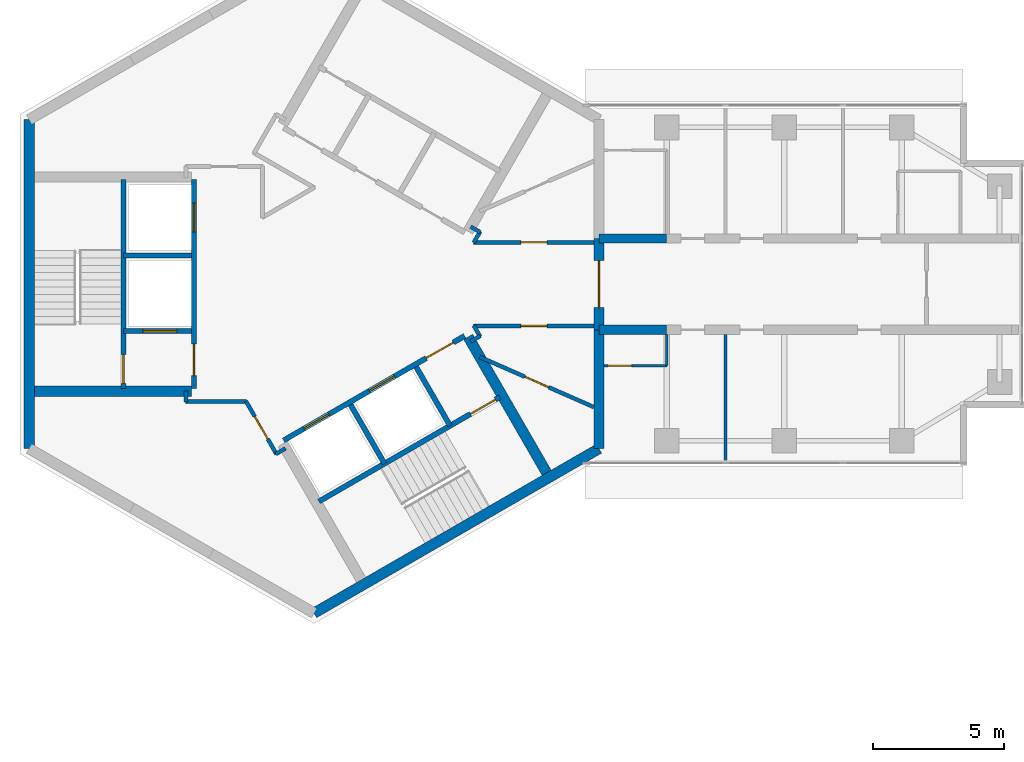
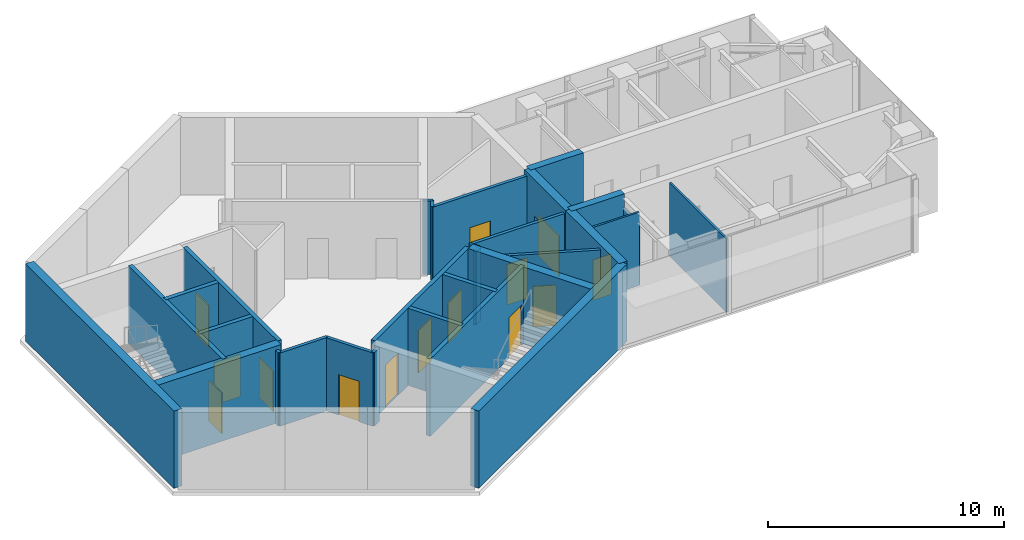
# One storey, part 5 of 11: 30 walls, 14 doors, 14 openings.
"""IFC4 building model written with IfcOpenShell, lengths in metres."""

import ifcopenshell
import ifcopenshell.guid

model = None  # the IFC model being written
_history = None  # IfcOwnerHistory: only IFC2X3 demands one
_inside = {}  # id of a spatial element -> (the spatial element, [elements in it])
_under = {}  # id of a project, library or spatial element -> (it, [spatial elements below it])
_declared = {}  # id of a project -> (the project, [libraries it declares])
_typed = {}  # id of a type object -> (the type object, [elements of that type])
_made_of = {}  # id of a material, layer set ... -> (it, [elements and type objects made of it])


def new_model(schema):
    """Start an empty IFC model of exactly this schema.

    Asked for "IFC4X3", IfcOpenShell would pick the latest addendum, in which some entities
    have other attributes; the version numbers below select the first issue.
    IFC2X3 requires an IfcOwnerHistory on every rooted entity: one is made here for all.
    """
    global model, _history
    if schema == "IFC4X3":
        model = ifcopenshell.file(schema_version=(4, 3, 0, 0))
    else:
        model = ifcopenshell.file(schema=schema)
    _inside.clear()
    _under.clear()
    _declared.clear()
    _typed.clear()
    _made_of.clear()
    _history = None
    if model.schema == "IFC2X3":
        org = make("IfcOrganization", Name="unknown")
        user = make(
            "IfcPersonAndOrganization",
            ThePerson=make("IfcPerson", FamilyName="unknown"),
            TheOrganization=org,
        )
        app = make(
            "IfcApplication",
            ApplicationDeveloper=org,
            Version="unknown",
            ApplicationFullName="unknown",
            ApplicationIdentifier="unknown",
        )
        _history = make(
            "IfcOwnerHistory",
            OwningUser=user,
            OwningApplication=app,
            ChangeAction="ADDED",
            CreationDate=0,
        )
    return model


def make(cls, **values):
    """One entity of the class cls with the attributes given. An attribute that is None is left unset."""
    return model.create_entity(
        cls, **{name: value for name, value in values.items() if value is not None}
    )


def rooted(cls, **values):
    """An entity with a GlobalId (a new one), such as an element, a storey or a relation."""
    return make(cls, GlobalId=ifcopenshell.guid.new(), OwnerHistory=_history, **values)


def si_unit(unit_type, name, prefix=None):
    """IfcSIUnit, for example si_unit("LENGTHUNIT", "METRE", prefix="MILLI")."""
    return make("IfcSIUnit", UnitType=unit_type, Prefix=prefix, Name=name)


def assignment(units):
    """IfcUnitAssignment: the units of a project."""
    return None if units is None else make("IfcUnitAssignment", Units=units)


def point(xyz):
    """IfcCartesianPoint."""
    return None if xyz is None else make("IfcCartesianPoint", Coordinates=xyz)


def direction(xyz):
    """IfcDirection."""
    return None if xyz is None else make("IfcDirection", DirectionRatios=xyz)


def frame(location, z_axis=None, x_axis=None):
    """IfcAxis2Placement3D, a coordinate frame: its origin and axes. An axis left out is left unset."""
    return make(
        "IfcAxis2Placement3D",
        Location=point(location),
        Axis=direction(z_axis),
        RefDirection=direction(x_axis),
    )


def frame_2d(location, x_axis=None):
    """IfcAxis2Placement2D, a coordinate frame in the plane: its origin and x axis."""
    return make(
        "IfcAxis2Placement2D", Location=point(location), RefDirection=direction(x_axis)
    )


def origin():
    """The frame at (0, 0, 0) with its axes left unset."""
    return frame((0.0, 0.0, 0.0))


def place(relative_to, where):
    """IfcLocalPlacement: puts the frame where relative to a parent placement (None: the world)."""
    return make(
        "IfcLocalPlacement", PlacementRelTo=relative_to, RelativePlacement=where
    )


def context(
    kind, dimensions, precision=None, world=None, true_north=None, identifier=None
):
    """IfcGeometricRepresentationContext, for example the 3D "Model" context."""
    return make(
        "IfcGeometricRepresentationContext",
        ContextIdentifier=identifier,
        ContextType=kind,
        CoordinateSpaceDimension=dimensions,
        Precision=precision,
        WorldCoordinateSystem=world,
        TrueNorth=true_north,
    )


def subcontext(parent, identifier, kind, view, scale=None):
    """IfcGeometricRepresentationSubContext, for example "Body" below "Model"."""
    return make(
        "IfcGeometricRepresentationSubContext",
        ContextIdentifier=identifier,
        ContextType=kind,
        ParentContext=parent,
        TargetScale=scale,
        TargetView=view,
    )


def project(units=None, contexts=None):
    """IfcProject with its units and contexts."""
    return rooted(
        "IfcProject",
        Name="project",
        RepresentationContexts=contexts,
        UnitsInContext=assignment(units),
    )


def spatial(cls, under=None, at=None, **own):
    """A site, building, storey or space (cls), placed at a placement, below another one or the project."""
    s = rooted(cls, ObjectPlacement=at, **own)
    if under is not None:
        _under.setdefault(under.id(), (under, []))[1].append(s)
    return s


def profile(cls, at=None, kind="AREA", **sizes):
    """A parametric profile (cls). Its sizes go by their IFC names, for example OverallWidth=200.0."""
    return make(cls, ProfileType=kind, Position=at, **sizes)


def rectangle(**sizes):
    """IfcRectangleProfileDef."""
    return profile("IfcRectangleProfileDef", **sizes)


def extrude(swept, where, along, depth):
    """IfcExtrudedAreaSolid: the profile swept, set in the frame where, extruded along a direction by depth."""
    return make(
        "IfcExtrudedAreaSolid",
        SweptArea=swept,
        Position=where,
        ExtrudedDirection=direction(along),
        Depth=depth,
    )


def shape(context_of_items, identifier, shape_type, items):
    """IfcShapeRepresentation: the items that make up one representation, for example the "Body"."""
    return make(
        "IfcShapeRepresentation",
        ContextOfItems=context_of_items,
        RepresentationIdentifier=identifier,
        RepresentationType=shape_type,
        Items=items,
    )


def material(Name=None, Category=None):
    """IfcMaterial."""
    return make("IfcMaterial", Name=Name, Category=Category)


def layer(
    of_material, thickness, ventilated=None, Name=None, Category=None, Priority=None
):
    """IfcMaterialLayer: one layer of a wall or slab, of a material (None: an air gap)."""
    return make(
        "IfcMaterialLayer",
        Material=of_material,
        LayerThickness=thickness,
        IsVentilated=ventilated,
        Name=Name,
        Category=Category,
        Priority=Priority,
    )


def layer_set(layers, Name=None):
    """IfcMaterialLayerSet."""
    return make("IfcMaterialLayerSet", MaterialLayers=layers, LayerSetName=Name)


def made_of(thing, what):
    """Note that an element or type object is made of a material, layer set ...; save() writes the relation."""
    if what is not None:
        _made_of.setdefault(what.id(), (what, []))[1].append(thing)
    return thing


def type_object(cls, material=None, **own):
    """A type object (cls), such as IfcWallType, which elements share."""
    return made_of(rooted(cls, **own), material)


def element(
    cls,
    number,
    at=None,
    inside=None,
    cuts=None,
    type_object=None,
    material=None,
    context=None,
    identifier="Body",
    shape_type=None,
    held_by="IfcProductDefinitionShape",
    body=None,
    shapes=None,
    **own,
):
    """One element of the class cls, such as IfcWall. Its Tag is "e" and its number.

    at: its placement. inside: the storey or other place that contains it. cuts: it is an
    opening in that element (IfcRelVoidsElement). A single representation is given by context,
    identifier, shape_type and body (its items); several are given by shapes. held_by: the class
    of the entity that holds the representations. save() writes the other relations.
    """
    e = rooted(cls, Tag="e%d" % number, ObjectPlacement=at, **own)
    if body is not None:
        shapes = [shape(context, identifier, shape_type, body)]
    if shapes is not None:
        e.Representation = make(held_by, Representations=shapes)
    if inside is not None:
        _inside.setdefault(inside.id(), (inside, []))[1].append(e)
    if cuts is not None:
        rooted(
            "IfcRelVoidsElement", RelatingBuildingElement=cuts, RelatedOpeningElement=e
        )
    if type_object is not None:
        _typed.setdefault(type_object.id(), (type_object, []))[1].append(e)
    return made_of(e, material)


def fill(opening, filler):
    """IfcRelFillsElement: the door or window that sits in an opening."""
    return rooted(
        "IfcRelFillsElement",
        RelatingOpeningElement=opening,
        RelatedBuildingElement=filler,
    )


def aggregate(whole, parts):
    """IfcRelAggregates: a whole, such as a stair, and the parts it consists of."""
    return rooted("IfcRelAggregates", RelatingObject=whole, RelatedObjects=parts)


def save(model, path):
    """Write the relations noted so far, then the file.

    IfcRelAggregates (storeys below a building ...), IfcRelContainedInSpatialStructure (elements
    in a storey), IfcRelDefinesByType, IfcRelAssociatesMaterial and IfcRelDeclares: one each for
    every whole, place, type object, material and project.
    """
    for whole, parts in _under.values():
        aggregate(whole, parts)
    for where, things in _inside.values():
        rooted(
            "IfcRelContainedInSpatialStructure",
            RelatedElements=things,
            RelatingStructure=where,
        )
    for kind, things in _typed.values():
        rooted("IfcRelDefinesByType", RelatedObjects=things, RelatingType=kind)
    for what, things in _made_of.values():
        rooted("IfcRelAssociatesMaterial", RelatedObjects=things, RelatingMaterial=what)
    for by, libraries in _declared.values():
        rooted("IfcRelDeclares", RelatingContext=by, RelatedDefinitions=libraries)
    model.write(path)


model = new_model("IFC4")

# Units and contexts
model_context = context("Model", 3, precision=1e-05, world=origin(), true_north=direction((0.0, 1.0)))
body_context = subcontext(model_context, "Body", "Model", "MODEL_VIEW")
ifc_project = project(units=[si_unit("LENGTHUNIT", "METRE"), si_unit("AREAUNIT", "SQUARE_METRE"), si_unit("VOLUMEUNIT", "CUBIC_METRE"), si_unit("PLANEANGLEUNIT", "RADIAN"), si_unit("MASSUNIT", "GRAM", prefix="KILO")], contexts=[model_context])

# Site, building, storey
site_placement = place(None, origin())
site = spatial("IfcSite", under=ifc_project, at=site_placement, CompositionType="ELEMENT")
building_placement = place(site_placement, origin())
building = spatial("IfcBuilding", under=site, at=building_placement, Name="Upepo Twin Towers", CompositionType="ELEMENT")
storey_placement = place(building_placement, frame((0.0, 0.0, 267.5)))
storey = spatial("IfcBuildingStorey", under=building, at=storey_placement, Name="L65", CompositionType="ELEMENT", Elevation=267.5)

# Walls
ifc_material_1 = material(Name="Concrete C60/75", Category="concrete")
ifc_layer_1 = layer(ifc_material_1, 0.35009765625)
ifc_layer_set_1 = layer_set([ifc_layer_1], Name="Concrete C60/75")
wall_type_1 = type_object("IfcWallType", Name="Buttress wall 350 RC", PredefinedType="SHEAR", material=ifc_layer_set_1)
for number, where, z_axis, x_axis, name in (
    (1, (10.908447265625, 1.75, 0.0), (0.0, 0.0, 1.0), (1.0, 0.0, 0.0), "T1 wing A buttress wall L"),
    (2, (10.908447265625, -1.75, 0.0), (0.0, 0.0, 1.0), (1.0, 0.0, 0.0), "T1 wing A buttress wall R"),
):
    element("IfcWall", number, at=place(storey_placement, frame(where, z_axis=z_axis, x_axis=x_axis)), inside=storey, type_object=wall_type_1, Name=name, PredefinedType="SHEAR", context=body_context, shape_type="SweptSolid", body=[
        extrude(rectangle(XDim=2.591552734375, YDim=0.35009765625, at=frame_2d((1.2958984375, 0.0))), origin(), (0.0, 0.0, 1.0), 4.0),
    ])
ifc_material_2 = material(Name="Concrete C60/75", Category="concrete")
ifc_layer_2 = layer(ifc_material_2, 0.39990234375)
ifc_layer_set_2 = layer_set([ifc_layer_2], Name="Concrete C60/75")
wall_type_2 = type_object("IfcWallType", Name="Core wall 400 RC", PredefinedType="SHEAR", material=ifc_layer_set_2)
wall_1_placement = place(storey_placement, frame((10.908447265625, -6.2978515625, 0.0), z_axis=(0.0, 0.0, 1.0), x_axis=(0.0, 1.0, 0.0)))
element("IfcWall", 3, at=wall_1_placement, inside=storey, type_object=wall_type_2, Name="T1 core wall 000 R", PredefinedType="SHEAR", context=body_context, shape_type="SweptSolid", body=[
    extrude(rectangle(XDim=4.5478515625, YDim=0.39990234375, at=frame_2d((2.27392578125, 0.0))), origin(), (0.0, 0.0, 1.0), 4.0),
])

# Wall, opening, door
wall_2_placement = place(storey_placement, frame((10.908447265625, -1.75, 0.0), z_axis=(0.0, 0.0, 1.0), x_axis=(0.0, 1.0, 0.0)))
wall_2 = element("IfcWall", 4, at=wall_2_placement, inside=storey, type_object=wall_type_2, Name="T1 core wall 000", PredefinedType="SHEAR", context=body_context, shape_type="SweptSolid", body=[
    extrude(rectangle(XDim=3.5, YDim=0.39990234375, at=frame_2d((1.75, 0.0))), origin(), (0.0, 0.0, 1.0), 4.0),
])
opening_1_placement = place(wall_2_placement, frame((0.85009765625, 0.0, 0.0)))
opening_1 = element("IfcOpeningElement", 5, at=opening_1_placement, cuts=wall_2, Name="Opening D2", PredefinedType="OPENING", context=body_context, shape_type="SweptSolid", body=[
    extrude(rectangle(XDim=1.800048828125, YDim=2.10009765625, at=frame_2d((0.89990234375, 1.050048828125))), frame((0.0, 0.2099609375, 0.0), z_axis=(0.0, -1.0, 0.0), x_axis=(1.0, 0.0, 0.0)), (0.0, 0.0, 1.0), 0.419921875),
])
ifc_material_3 = material(Name="Timber doorset", Category="wood")
door_type_1 = type_object("IfcDoorType", Name="Corridor double door 1800 FD60", OperationType="DOUBLE_DOOR_DOUBLE_SWING", PredefinedType="DOOR", material=ifc_material_3)
door_1_placement = place(opening_1_placement, origin())
door_1 = element("IfcDoor", 6, at=door_1_placement, inside=storey, type_object=door_type_1, Name="T1 L65 wing A corridor door", OperationType="DOUBLE_DOOR_DOUBLE_SWING", OverallHeight=2.10009765625, OverallWidth=1.800048828125, PredefinedType="DOOR", context=body_context, shape_type="SweptSolid", body=[
    extrude(rectangle(XDim=1.800048828125, YDim=2.10009765625, at=frame_2d((0.89990234375, 1.050048828125))), frame((0.0, 0.02490234375, 0.0), z_axis=(0.0, -1.0, 0.0), x_axis=(1.0, 0.0, 0.0)), (0.0, 0.0, 1.0), 0.050048828125),
])
fill(opening_1, door_1)

# Walls
wall_3_placement = place(storey_placement, frame((-10.908447265625, 6.2978515625, 0.0), z_axis=(0.0, 0.0, 1.0), x_axis=(0.0, -1.0, 0.0)))
element("IfcWall", 7, at=wall_3_placement, inside=storey, type_object=wall_type_2, Name="T1 core wall 180", PredefinedType="SHEAR", context=body_context, shape_type="SweptSolid", body=[
    extrude(rectangle(XDim=12.595703125, YDim=0.39990234375, at=frame_2d((6.2978515625, 0.0))), origin(), (0.0, 0.0, 1.0), 4.0),
])
wall_4_placement = place(storey_placement, frame((0.0, -12.595947265625, 0.0), z_axis=(0.0, 0.0, 1.0), x_axis=(0.866021940709, 0.500005998175, 0.0)))
element("IfcWall", 8, at=wall_4_placement, inside=storey, type_object=wall_type_2, Name="T1 core wall 300", PredefinedType="SHEAR", context=body_context, shape_type="SweptSolid", body=[
    extrude(rectangle(XDim=12.595947265625, YDim=0.39990234375, at=frame_2d((6.2978515625, 0.0))), origin(), (0.0, 0.0, 1.0), 4.0),
])
ifc_material_4 = material(Name="Gypsum board on steel studs", Category="steel")
ifc_layer_3 = layer(ifc_material_4, 0.10009765625)
ifc_layer_set_3 = layer_set([ifc_layer_3], Name="Office partition 100 stud")
wall_type_3 = type_object("IfcWallType", Name="Office partition 100 stud", PredefinedType="PARTITIONING", material=ifc_layer_set_3)
wall_5_placement = place(storey_placement, frame((15.75, -1.925048828125, 0.0), z_axis=(0.0, 0.0, 1.0), x_axis=(0.0, -1.0, 0.0)))
element("IfcWall", 9, at=wall_5_placement, inside=storey, type_object=wall_type_3, Name="T1 partition AR at 15.75", PredefinedType="PARTITIONING", context=body_context, shape_type="SweptSolid", body=[
    extrude(rectangle(XDim=4.824951171875, YDim=0.10009765625, at=frame_2d((2.41259765625, 0.0))), origin(), (0.0, 0.0, 1.0), 3.800048828125),
])

# Wall, opening, door
wall_6_placement = place(storey_placement, frame((11.10791015625, -3.125, 0.0), z_axis=(0.0, 0.0, 1.0), x_axis=(1.0, 0.0, 0.0)))
wall_6 = element("IfcWall", 10, at=wall_6_placement, inside=storey, type_object=wall_type_3, Name="T1 WC bay partition AR at 11.11", PredefinedType="PARTITIONING", context=body_context, shape_type="SweptSolid", body=[
    extrude(rectangle(XDim=2.400146484375, YDim=0.10009765625, at=frame_2d((1.2001953125, 0.0))), origin(), (0.0, 0.0, 1.0), 3.800048828125),
])
opening_2_placement = place(wall_6_placement, frame((0.14990234375, 0.0, 0.0)))
opening_2 = element("IfcOpeningElement", 11, at=opening_2_placement, cuts=wall_6, Name="Opening D14", PredefinedType="OPENING", context=body_context, shape_type="SweptSolid", body=[
    extrude(rectangle(XDim=0.89990234375, YDim=2.10009765625, at=frame_2d((0.449951171875, 1.050048828125))), frame((0.0, 0.06005859375, 0.0), z_axis=(0.0, -1.0, 0.0), x_axis=(1.0, 0.0, 0.0)), (0.0, 0.0, 1.0), 0.1201171875),
])
ifc_material_5 = material(Name="Timber doorset", Category="wood")
door_type_2 = type_object("IfcDoorType", Name="Office door 900 FD30", OperationType="SINGLE_SWING_LEFT", PredefinedType="DOOR", material=ifc_material_5)
door_2_placement = place(opening_2_placement, origin())
door_2 = element("IfcDoor", 12, at=door_2_placement, inside=storey, type_object=door_type_2, Name="T1 L65 WC bay inner room door", OperationType="SINGLE_SWING_LEFT", OverallHeight=2.10009765625, OverallWidth=0.89990234375, PredefinedType="DOOR", context=body_context, shape_type="SweptSolid", body=[
    extrude(rectangle(XDim=0.89990234375, YDim=2.10009765625, at=frame_2d((0.449951171875, 1.050048828125))), frame((0.0, 0.02490234375, 0.0), z_axis=(0.0, -1.0, 0.0), x_axis=(1.0, 0.0, 0.0)), (0.0, 0.0, 1.0), 0.050048828125),
])
fill(opening_2, door_2)

# Wall
wall_7_placement = place(storey_placement, frame((13.508056640625, -1.925048828125, 0.0), z_axis=(0.0, 0.0, 1.0), x_axis=(0.0, -1.0, 0.0)))
element("IfcWall", 13, at=wall_7_placement, inside=storey, type_object=wall_type_3, Name="T1 WC bay partition AR end at 13.51", PredefinedType="PARTITIONING", context=body_context, shape_type="SweptSolid", body=[
    extrude(rectangle(XDim=1.199951171875, YDim=0.10009765625, at=frame_2d((0.60009765625, 0.0))), origin(), (0.0, 0.0, 1.0), 3.266845703125),
])

# Wall, openings, doors
ifc_material_6 = material(Name="Concrete C40/50", Category="concrete")
ifc_layer_4 = layer(ifc_material_6, 0.199951171875)
ifc_layer_set_4 = layer_set([ifc_layer_4], Name="Concrete C40/50")
wall_type_4 = type_object("IfcWallType", Name="Shaft wall 200 RC", PredefinedType="SHEAR", material=ifc_layer_set_4)
wall_8_placement = place(storey_placement, frame((-4.60009765625, 4.0, 0.0), z_axis=(0.0, 0.0, 1.0), x_axis=(0.0, -1.0, 0.0)))
wall_8 = element("IfcWall", 14, at=wall_8_placement, inside=storey, type_object=wall_type_4, Name="T1 core W180 front wall", PredefinedType="SHEAR", context=body_context, shape_type="SweptSolid", body=[
    extrude(rectangle(XDim=8.0, YDim=0.199951171875, at=frame_2d((4.0, 0.0))), origin(), (0.0, 0.0, 1.0), 4.0),
])
opening_3_placement = place(wall_8_placement, frame((6.300048828125, 0.0, 0.0)))
opening_3 = element("IfcOpeningElement", 15, at=opening_3_placement, cuts=wall_8, Name="Opening D4", PredefinedType="OPENING", context=body_context, shape_type="SweptSolid", body=[
    extrude(rectangle(XDim=1.199951171875, YDim=2.10009765625, at=frame_2d((0.60009765625, 1.050048828125))), frame((0.0, 0.10986328125, 0.0), z_axis=(0.0, -1.0, 0.0), x_axis=(1.0, 0.0, 0.0)), (0.0, 0.0, 1.0), 0.219970703125),
])
opening_4_placement = place(wall_8_placement, frame((0.89990234375, 0.0, 0.0)))
opening_4 = element("IfcOpeningElement", 16, at=opening_4_placement, cuts=wall_8, Name="Opening LD1", PredefinedType="OPENING", context=body_context, shape_type="SweptSolid", body=[
    extrude(rectangle(XDim=1.10009765625, YDim=2.199951171875, at=frame_2d((0.550048828125, 1.10009765625))), frame((0.0, 0.10986328125, 0.0), z_axis=(0.0, -1.0, 0.0), x_axis=(1.0, 0.0, 0.0)), (0.0, 0.0, 1.0), 0.219970703125),
])
ifc_material_7 = material(Name="Steel doorset", Category="steel")
door_type_3 = type_object("IfcDoorType", Name="Lift landing door 1100", OperationType="DOUBLE_DOOR_SLIDING", PredefinedType="DOOR", material=ifc_material_7)
door_3_placement = place(opening_4_placement, origin())
door_3 = element("IfcDoor", 17, at=door_3_placement, inside=storey, type_object=door_type_3, Name="T1 L65 lift SV1 landing door", OperationType="DOUBLE_DOOR_SLIDING", OverallHeight=2.199951171875, OverallWidth=1.10009765625, PredefinedType="DOOR", context=body_context, shape_type="SweptSolid", body=[
    extrude(rectangle(XDim=1.10009765625, YDim=2.199951171875, at=frame_2d((0.550048828125, 1.10009765625))), frame((0.0, 0.02490234375, 0.0), z_axis=(0.0, -1.0, 0.0), x_axis=(1.0, 0.0, 0.0)), (0.0, 0.0, 1.0), 0.050048828125),
])
fill(opening_4, door_3)
ifc_material_8 = material(Name="Timber doorset", Category="wood")
door_type_4 = type_object("IfcDoorType", Name="Lobby door 1200 FD60", OperationType="SINGLE_SWING_LEFT", PredefinedType="DOOR", material=ifc_material_8)
door_4_placement = place(opening_3_placement, origin())
door_4 = element("IfcDoor", 18, at=door_4_placement, inside=storey, type_object=door_type_4, Name="T1 L65 W180 lobby door", OperationType="SINGLE_SWING_RIGHT", OverallHeight=2.10009765625, OverallWidth=1.199951171875, PredefinedType="DOOR", context=body_context, shape_type="SweptSolid", body=[
    extrude(rectangle(XDim=1.199951171875, YDim=2.10009765625, at=frame_2d((0.60009765625, 1.050048828125))), frame((0.0, 0.02490234375, 0.0), z_axis=(0.0, -1.0, 0.0), x_axis=(1.0, 0.0, 0.0)), (0.0, 0.0, 1.0), 0.050048828125),
])
fill(opening_3, door_4)

# Wall
wall_9_placement = place(storey_placement, frame((-4.699951171875, 1.10009765625, 0.0), z_axis=(0.0, 0.0, 1.0), x_axis=(-1.0, 0.0, 0.0)))
element("IfcWall", 19, at=wall_9_placement, inside=storey, type_object=wall_type_4, Name="T1 core W180 shaft divider", PredefinedType="SHEAR", context=body_context, shape_type="SweptSolid", body=[
    extrude(rectangle(XDim=2.60009765625, YDim=0.199951171875, at=frame_2d((1.300048828125, 0.0))), origin(), (0.0, 0.0, 1.0), 4.0),
])

# Wall, opening, door
wall_10_placement = place(storey_placement, frame((-4.699951171875, -1.800048828125, 0.0), z_axis=(0.0, 0.0, 1.0), x_axis=(-1.0, 0.0, 0.0)))
wall_10 = element("IfcWall", 20, at=wall_10_placement, inside=storey, type_object=wall_type_4, Name="T1 core W180 lobby wall", PredefinedType="SHEAR", context=body_context, shape_type="SweptSolid", body=[
    extrude(rectangle(XDim=2.60009765625, YDim=0.199951171875, at=frame_2d((1.300048828125, 0.0))), origin(), (0.0, 0.0, 1.0), 4.0),
])
opening_5_placement = place(wall_10_placement, frame((0.550048828125, 0.0, 0.0)))
opening_5 = element("IfcOpeningElement", 21, at=opening_5_placement, cuts=wall_10, Name="Opening LD2", PredefinedType="OPENING", context=body_context, shape_type="SweptSolid", body=[
    extrude(rectangle(XDim=1.300048828125, YDim=2.199951171875, at=frame_2d((0.64990234375, 1.10009765625))), frame((0.0, 0.10986328125, 0.0), z_axis=(0.0, -1.0, 0.0), x_axis=(1.0, 0.0, 0.0)), (0.0, 0.0, 1.0), 0.219970703125),
])
ifc_material_9 = material(Name="Steel doorset", Category="steel")
door_type_5 = type_object("IfcDoorType", Name="Firefighting lift landing door 1300", OperationType="DOUBLE_DOOR_SLIDING", PredefinedType="DOOR", material=ifc_material_9)
door_5_placement = place(opening_5_placement, origin())
door_5 = element("IfcDoor", 22, at=door_5_placement, inside=storey, type_object=door_type_5, Name="T1 L65 firefighting lift landing door", OperationType="DOUBLE_DOOR_SLIDING", OverallHeight=2.199951171875, OverallWidth=1.300048828125, PredefinedType="DOOR", context=body_context, shape_type="SweptSolid", body=[
    extrude(rectangle(XDim=1.300048828125, YDim=2.199951171875, at=frame_2d((0.64990234375, 1.10009765625))), frame((0.0, 0.02490234375, 0.0), z_axis=(0.0, -1.0, 0.0), x_axis=(1.0, 0.0, 0.0)), (0.0, 0.0, 1.0), 0.050048828125),
])
fill(opening_5, door_5)

wall_11_placement = place(storey_placement, frame((-7.300048828125, 4.0, 0.0), z_axis=(0.0, 0.0, 1.0), x_axis=(0.0, -1.0, 0.0)))
wall_11 = element("IfcWall", 23, at=wall_11_placement, inside=storey, type_object=wall_type_4, Name="T1 core W180 stair wall", PredefinedType="SHEAR", context=body_context, shape_type="SweptSolid", body=[
    extrude(rectangle(XDim=8.0, YDim=0.199951171875, at=frame_2d((4.0, 0.0))), origin(), (0.0, 0.0, 1.0), 4.0),
])
opening_6_placement = place(wall_11_placement, frame((6.699951171875, 0.0, 0.0)))
opening_6 = element("IfcOpeningElement", 24, at=opening_6_placement, cuts=wall_11, Name="Opening D3", PredefinedType="OPENING", context=body_context, shape_type="SweptSolid", body=[
    extrude(rectangle(XDim=1.10009765625, YDim=2.10009765625, at=frame_2d((0.550048828125, 1.050048828125))), frame((0.0, 0.10986328125, 0.0), z_axis=(0.0, -1.0, 0.0), x_axis=(1.0, 0.0, 0.0)), (0.0, 0.0, 1.0), 0.219970703125),
])
ifc_material_10 = material(Name="Timber doorset", Category="wood")
door_type_6 = type_object("IfcDoorType", Name="Stair door 1100 FD60", OperationType="SINGLE_SWING_LEFT", PredefinedType="DOOR", material=ifc_material_10)
door_6_placement = place(opening_6_placement, origin())
door_6 = element("IfcDoor", 25, at=door_6_placement, inside=storey, type_object=door_type_6, Name="T1 L65 stair door", OperationType="SINGLE_SWING_RIGHT", OverallHeight=2.10009765625, OverallWidth=1.10009765625, PredefinedType="DOOR", context=body_context, shape_type="SweptSolid", body=[
    extrude(rectangle(XDim=1.10009765625, YDim=2.10009765625, at=frame_2d((0.550048828125, 1.050048828125))), frame((0.0, 0.02490234375, 0.0), z_axis=(0.0, -1.0, 0.0), x_axis=(1.0, 0.0, 0.0)), (0.0, 0.0, 1.0), 0.050048828125),
])
fill(opening_6, door_6)

# Wall, openings, doors
wall_12_placement = place(storey_placement, frame((-1.1640625, -5.983642578125, 0.0), z_axis=(0.0, 0.0, 1.0), x_axis=(0.866026010844, 0.49999894854, 0.0)))
wall_12 = element("IfcWall", 26, at=wall_12_placement, inside=storey, type_object=wall_type_4, Name="T1 core W300 front wall", PredefinedType="SHEAR", context=body_context, shape_type="SweptSolid", body=[
    extrude(rectangle(XDim=8.0, YDim=0.199951171875, at=frame_2d((4.0, 0.0))), origin(), (0.0, 0.0, 1.0), 4.0),
])
opening_7_placement = place(wall_12_placement, frame((6.300048828125, 0.0, 0.0)))
opening_7 = element("IfcOpeningElement", 27, at=opening_7_placement, cuts=wall_12, Name="Opening D4", PredefinedType="OPENING", context=body_context, shape_type="SweptSolid", body=[
    extrude(rectangle(XDim=1.199951171875, YDim=2.10009765625, at=frame_2d((0.60009765625, 1.050048828125))), frame((0.0, 0.10986328125, 0.0), z_axis=(0.0, -1.0, 0.0), x_axis=(1.0, 0.0, 0.0)), (0.0, 0.0, 1.0), 0.219970703125),
])
opening_8_placement = place(wall_12_placement, frame((0.89990234375, 0.0, 0.0)))
opening_8 = element("IfcOpeningElement", 28, at=opening_8_placement, cuts=wall_12, Name="Opening LD1", PredefinedType="OPENING", context=body_context, shape_type="SweptSolid", body=[
    extrude(rectangle(XDim=1.10009765625, YDim=2.199951171875, at=frame_2d((0.550048828125, 1.10009765625))), frame((0.0, 0.10986328125, 0.0), z_axis=(0.0, -1.0, 0.0), x_axis=(1.0, 0.0, 0.0)), (0.0, 0.0, 1.0), 0.219970703125),
])
opening_9_placement = place(wall_12_placement, frame((3.800048828125, 0.0, 0.0)))
opening_9 = element("IfcOpeningElement", 29, at=opening_9_placement, cuts=wall_12, Name="Opening LD1", PredefinedType="OPENING", context=body_context, shape_type="SweptSolid", body=[
    extrude(rectangle(XDim=1.10009765625, YDim=2.199951171875, at=frame_2d((0.550048828125, 1.10009765625))), frame((0.0, 0.10986328125, 0.0), z_axis=(0.0, -1.0, 0.0), x_axis=(1.0, 0.0, 0.0)), (0.0, 0.0, 1.0), 0.219970703125),
])
door_7_placement = place(opening_8_placement, origin())
door_7 = element("IfcDoor", 30, at=door_7_placement, inside=storey, type_object=door_type_3, Name="T1 L65 lift TL1 landing door", OperationType="DOUBLE_DOOR_SLIDING", OverallHeight=2.199951171875, OverallWidth=1.10009765625, PredefinedType="DOOR", context=body_context, shape_type="SweptSolid", body=[
    extrude(rectangle(XDim=1.10009765625, YDim=2.199951171875, at=frame_2d((0.550048828125, 1.10009765625))), frame((0.0, 0.02490234375, 0.0), z_axis=(0.0, -1.0, 0.0), x_axis=(1.0, 0.0, 0.0)), (0.0, 0.0, 1.0), 0.050048828125),
])
fill(opening_8, door_7)
door_8_placement = place(opening_9_placement, origin())
door_8 = element("IfcDoor", 31, at=door_8_placement, inside=storey, type_object=door_type_3, Name="T1 L65 lift TL2 landing door", OperationType="DOUBLE_DOOR_SLIDING", OverallHeight=2.199951171875, OverallWidth=1.10009765625, PredefinedType="DOOR", context=body_context, shape_type="SweptSolid", body=[
    extrude(rectangle(XDim=1.10009765625, YDim=2.199951171875, at=frame_2d((0.550048828125, 1.10009765625))), frame((0.0, 0.02490234375, 0.0), z_axis=(0.0, -1.0, 0.0), x_axis=(1.0, 0.0, 0.0)), (0.0, 0.0, 1.0), 0.050048828125),
])
fill(opening_9, door_8)
door_9_placement = place(opening_7_placement, origin())
door_9 = element("IfcDoor", 32, at=door_9_placement, inside=storey, type_object=door_type_4, Name="T1 L65 W300 lobby door", OperationType="SINGLE_SWING_RIGHT", OverallHeight=2.10009765625, OverallWidth=1.199951171875, PredefinedType="DOOR", context=body_context, shape_type="SweptSolid", body=[
    extrude(rectangle(XDim=1.199951171875, YDim=2.10009765625, at=frame_2d((0.60009765625, 1.050048828125))), frame((0.0, 0.02490234375, 0.0), z_axis=(0.0, -1.0, 0.0), x_axis=(1.0, 0.0, 0.0)), (0.0, 0.0, 1.0), 0.050048828125),
])
fill(opening_7, door_9)

# Walls
wall_13_placement = place(storey_placement, frame((1.3974609375, -4.620361328125, 0.0), z_axis=(0.0, 0.0, 1.0), x_axis=(0.499936506574, -0.866062058628, 0.0)))
element("IfcWall", 33, at=wall_13_placement, inside=storey, type_object=wall_type_4, Name="T1 core W300 shaft divider", PredefinedType="SHEAR", context=body_context, shape_type="SweptSolid", body=[
    extrude(rectangle(XDim=2.599853515625, YDim=0.199951171875, at=frame_2d((1.2998046875, 0.0))), origin(), (0.0, 0.0, 1.0), 4.0),
])
wall_14_placement = place(storey_placement, frame((3.908935546875, -3.17041015625, 0.0), z_axis=(0.0, 0.0, 1.0), x_axis=(0.49997716683, -0.86603858612, 0.0)))
element("IfcWall", 34, at=wall_14_placement, inside=storey, type_object=wall_type_4, Name="T1 core W300 lobby wall", PredefinedType="SHEAR", context=body_context, shape_type="SweptSolid", body=[
    extrude(rectangle(XDim=2.599609375, YDim=0.199951171875, at=frame_2d((1.2998046875, 0.0))), origin(), (0.0, 0.0, 1.0), 4.0),
])

# Wall, opening, door
wall_15_placement = place(storey_placement, frame((0.185791015625, -8.322021484375, 0.0), z_axis=(0.0, 0.0, 1.0), x_axis=(0.866026010844, 0.49999894854, 0.0)))
wall_15 = element("IfcWall", 35, at=wall_15_placement, inside=storey, type_object=wall_type_4, Name="T1 core W300 stair wall", PredefinedType="SHEAR", context=body_context, shape_type="SweptSolid", body=[
    extrude(rectangle(XDim=8.0, YDim=0.199951171875, at=frame_2d((4.0, 0.0))), origin(), (0.0, 0.0, 1.0), 4.0),
])
opening_10_placement = place(wall_15_placement, frame((6.699951171875, 0.0, 0.0)))
opening_10 = element("IfcOpeningElement", 36, at=opening_10_placement, cuts=wall_15, Name="Opening D3", PredefinedType="OPENING", context=body_context, shape_type="SweptSolid", body=[
    extrude(rectangle(XDim=1.10009765625, YDim=2.10009765625, at=frame_2d((0.550048828125, 1.050048828125))), frame((0.0, 0.10986328125, 0.0), z_axis=(0.0, -1.0, 0.0), x_axis=(1.0, 0.0, 0.0)), (0.0, 0.0, 1.0), 0.219970703125),
])
door_10_placement = place(opening_10_placement, origin())
door_10 = element("IfcDoor", 37, at=door_10_placement, inside=storey, type_object=door_type_6, Name="T1 L65 stair door", OperationType="SINGLE_SWING_RIGHT", OverallHeight=2.10009765625, OverallWidth=1.10009765625, PredefinedType="DOOR", context=body_context, shape_type="SweptSolid", body=[
    extrude(rectangle(XDim=1.10009765625, YDim=2.10009765625, at=frame_2d((0.550048828125, 1.050048828125))), frame((0.0, 0.02490234375, 0.0), z_axis=(0.0, -1.0, 0.0), x_axis=(1.0, 0.0, 0.0)), (0.0, 0.0, 1.0), 0.050048828125),
])
fill(opening_10, door_10)

# Walls
ifc_material_11 = material(Name="Concrete C40/50", Category="concrete")
ifc_layer_5 = layer(ifc_material_11, 0.39990234375)
ifc_layer_set_5 = layer_set([ifc_layer_5], Name="Concrete C40/50")
wall_type_5 = type_object("IfcWallType", Name="Shaft wall 400 RC", PredefinedType="SHEAR", material=ifc_layer_set_5)
for number, where, z_axis, x_axis, name in (
    (38, (-4.699951171875, -4.10009765625, 0.0), (0.0, 0.0, 1.0), (-1.0, 0.0, 0.0), "T1 core W180 side wall N"),
    (39, (5.900634765625, -2.020263671875, 0.0), (0.0, 0.0, 1.0), (0.499997979876, -0.866026570101, 0.0), "T1 core W300 side wall N"),
):
    element("IfcWall", number, at=place(storey_placement, frame(where, z_axis=z_axis, x_axis=x_axis)), inside=storey, type_object=wall_type_5, Name=name, PredefinedType="SHEAR", context=body_context, shape_type="SweptSolid", body=[
        extrude(rectangle(XDim=6.00830078125, YDim=0.39990234375, at=frame_2d((3.004150390625, 0.0))), origin(), (0.0, 0.0, 1.0), 4.0),
    ])
ifc_material_12 = material(Name="Gypsum board on steel studs", Category="steel")
ifc_layer_6 = layer(ifc_material_12, 0.14990234375)
ifc_layer_set_6 = layer_set([ifc_layer_6], Name="Teaching partition 150 acoustic")
wall_type_6 = type_object("IfcWallType", Name="Teaching partition 150 acoustic", PredefinedType="PARTITIONING", material=ifc_layer_set_6)
for number, where, z_axis, x_axis, name in (
    (40, (6.364501953125, -1.9833984375, 0.0), (0.0, 0.0, 1.0), (-0.865892400268, -0.500230298122, 0.0), "T1 core room partition 1"),
    (41, (-1.092041015625, -6.28857421875, 0.0), (0.0, 0.0, 1.0), (-0.866138304741, -0.499804398801, 0.0), "T1 core room partition 2"),
):
    element("IfcWall", number, at=place(storey_placement, frame(where, z_axis=z_axis, x_axis=x_axis)), inside=storey, type_object=wall_type_6, Name=name, PredefinedType="PARTITIONING", context=body_context, shape_type="SweptSolid", body=[
        extrude(rectangle(XDim=0.429931640625, YDim=0.14990234375, at=frame_2d((0.21484375, 0.0))), origin(), (0.0, 0.0, 1.0), 3.800048828125),
    ])

# Wall, opening, door
wall_16_placement = place(storey_placement, frame((-1.43701171875, -6.5107421875, 0.0), z_axis=(0.0, 0.0, 1.0), x_axis=(-0.500074377092, 0.865982457891, 0.0)))
wall_16 = element("IfcWall", 42, at=wall_16_placement, inside=storey, type_object=wall_type_6, Name="T1 core room partition 3", PredefinedType="PARTITIONING", context=body_context, shape_type="SweptSolid", body=[
    extrude(rectangle(XDim=2.342041015625, YDim=0.14990234375, at=frame_2d((1.1708984375, 0.0))), origin(), (0.0, 0.0, 1.0), 3.800048828125),
])
opening_11_placement = place(wall_16_placement, frame((0.6708984375, 0.0, 0.0)))
opening_11 = element("IfcOpeningElement", 43, at=opening_11_placement, cuts=wall_16, Name="Opening D1", PredefinedType="OPENING", context=body_context, shape_type="SweptSolid", body=[
    extrude(rectangle(XDim=1.0, YDim=2.10009765625, at=frame_2d((0.5, 1.050048828125))), frame((0.0, 0.0849609375, 0.0), z_axis=(0.0, -1.0, 0.0), x_axis=(1.0, 0.0, 0.0)), (0.0, 0.0, 1.0), 0.169921875),
])
ifc_material_13 = material(Name="Timber doorset", Category="wood")
door_type_7 = type_object("IfcDoorType", Name="Room door 1000 FD30", OperationType="SINGLE_SWING_LEFT", PredefinedType="DOOR", material=ifc_material_13)
door_11_placement = place(opening_11_placement, origin())
door_11 = element("IfcDoor", 44, at=door_11_placement, inside=storey, type_object=door_type_7, Name="T1 L65 core room door K1", OperationType="SINGLE_SWING_RIGHT", OverallHeight=2.10009765625, OverallWidth=1.0, PredefinedType="DOOR", context=body_context, shape_type="SweptSolid", body=[
    extrude(rectangle(XDim=1.0, YDim=2.10009765625, at=frame_2d((0.5, 1.050048828125))), frame((0.0, 0.02490234375, 0.0), z_axis=(0.0, -1.0, 0.0), x_axis=(1.0, 0.0, 0.0)), (0.0, 0.0, 1.0), 0.050048828125),
])
fill(opening_11, door_11)

# Walls
wall_17_placement = place(storey_placement, frame((-2.578125, -4.5, 0.0), z_axis=(0.0, 0.0, 1.0), x_axis=(-1.0, 0.0, 0.0)))
element("IfcWall", 45, at=wall_17_placement, inside=storey, type_object=wall_type_6, Name="T1 core room partition 4", PredefinedType="PARTITIONING", context=body_context, shape_type="SweptSolid", body=[
    extrude(rectangle(XDim=2.341796875, YDim=0.14990234375, at=frame_2d((1.1708984375, 0.0))), origin(), (0.0, 0.0, 1.0), 3.800048828125),
])
for number, where, z_axis, x_axis, name in (
    (46, (-4.89990234375, -4.52001953125, 0.0), (0.0, 0.0, 1.0), (0.0, 1.0, 0.0), "T1 core room partition 5"),
    (47, (5.9921875, 2.198486328125, 0.0), (0.0, 0.0, 1.0), (0.865892400268, -0.500230298122, 0.0), "T1 core room partition 13"),
):
    element("IfcWall", number, at=place(storey_placement, frame(where, z_axis=z_axis, x_axis=x_axis)), inside=storey, type_object=wall_type_6, Name=name, PredefinedType="PARTITIONING", context=body_context, shape_type="SweptSolid", body=[
        extrude(rectangle(XDim=0.429931640625, YDim=0.14990234375, at=frame_2d((0.21484375, 0.0))), origin(), (0.0, 0.0, 1.0), 3.800048828125),
    ])
wall_18_placement = place(storey_placement, frame((6.357177734375, 2.0107421875, 0.0), z_axis=(0.0, 0.0, 1.0), x_axis=(-0.50033519877, -0.865831790172, 0.0)))
element("IfcWall", 48, at=wall_18_placement, inside=storey, type_object=wall_type_6, Name="T1 core room partition 14", PredefinedType="PARTITIONING", context=body_context, shape_type="SweptSolid", body=[
    extrude(rectangle(XDim=0.494384765625, YDim=0.14990234375, at=frame_2d((0.2470703125, 0.0))), origin(), (0.0, 0.0, 1.0), 3.800048828125),
])

# Wall, opening, door
wall_19_placement = place(storey_placement, frame((6.099853515625, 1.60009765625, 0.0), z_axis=(0.0, 0.0, 1.0), x_axis=(1.0, 0.0, 0.0)))
wall_19 = element("IfcWall", 49, at=wall_19_placement, inside=storey, type_object=wall_type_6, Name="T1 core room partition 15", PredefinedType="PARTITIONING", context=body_context, shape_type="SweptSolid", body=[
    extrude(rectangle(XDim=4.618408203125, YDim=0.14990234375, at=frame_2d((2.30908203125, 0.0))), origin(), (0.0, 0.0, 1.0), 3.800048828125),
])
opening_12_placement = place(wall_19_placement, frame((1.8193359375, 0.0, 0.0)))
opening_12 = element("IfcOpeningElement", 50, at=opening_12_placement, cuts=wall_19, Name="Opening D1", PredefinedType="OPENING", context=body_context, shape_type="SweptSolid", body=[
    extrude(rectangle(XDim=1.0, YDim=2.10009765625, at=frame_2d((0.5, 1.050048828125))), frame((0.0, 0.0849609375, 0.0), z_axis=(0.0, -1.0, 0.0), x_axis=(1.0, 0.0, 0.0)), (0.0, 0.0, 1.0), 0.169921875),
])
door_12_placement = place(opening_12_placement, origin())
door_12 = element("IfcDoor", 51, at=door_12_placement, inside=storey, type_object=door_type_7, Name="T1 L65 core room door K4", OperationType="SINGLE_SWING_RIGHT", OverallHeight=2.10009765625, OverallWidth=1.0, PredefinedType="DOOR", context=body_context, shape_type="SweptSolid", body=[
    extrude(rectangle(XDim=1.0, YDim=2.10009765625, at=frame_2d((0.5, 1.050048828125))), frame((0.0, 0.02490234375, 0.0), z_axis=(0.0, -1.0, 0.0), x_axis=(1.0, 0.0, 0.0)), (0.0, 0.0, 1.0), 0.050048828125),
])
fill(opening_12, door_12)

wall_20_placement = place(storey_placement, frame((10.71826171875, -1.60009765625, 0.0), z_axis=(0.0, 0.0, 1.0), x_axis=(-1.0, 0.0, 0.0)))
wall_20 = element("IfcWall", 52, at=wall_20_placement, inside=storey, type_object=wall_type_6, Name="T1 core room partition 16", PredefinedType="PARTITIONING", context=body_context, shape_type="SweptSolid", body=[
    extrude(rectangle(XDim=4.618408203125, YDim=0.14990234375, at=frame_2d((2.30908203125, 0.0))), origin(), (0.0, 0.0, 1.0), 3.800048828125),
])
opening_13_placement = place(wall_20_placement, frame((1.799072265625, 0.0, 0.0)))
opening_13 = element("IfcOpeningElement", 53, at=opening_13_placement, cuts=wall_20, Name="Opening D1", PredefinedType="OPENING", context=body_context, shape_type="SweptSolid", body=[
    extrude(rectangle(XDim=1.0, YDim=2.10009765625, at=frame_2d((0.5, 1.050048828125))), frame((0.0, 0.0849609375, 0.0), z_axis=(0.0, -1.0, 0.0), x_axis=(1.0, 0.0, 0.0)), (0.0, 0.0, 1.0), 0.169921875),
])
door_13_placement = place(opening_13_placement, origin())
door_13 = element("IfcDoor", 54, at=door_13_placement, inside=storey, type_object=door_type_7, Name="T1 L65 core room door K2", OperationType="SINGLE_SWING_LEFT", OverallHeight=2.10009765625, OverallWidth=1.0, PredefinedType="DOOR", context=body_context, shape_type="SweptSolid", body=[
    extrude(rectangle(XDim=1.0, YDim=2.10009765625, at=frame_2d((0.5, 1.050048828125))), frame((0.0, 0.02490234375, 0.0), z_axis=(0.0, -1.0, 0.0), x_axis=(1.0, 0.0, 0.0)), (0.0, 0.0, 1.0), 0.050048828125),
])
fill(opening_13, door_13)

# Wall
wall_21_placement = place(storey_placement, frame((6.10986328125, -1.582763671875, 0.0), z_axis=(0.0, 0.0, 1.0), x_axis=(0.50033519877, -0.865831790172, 0.0)))
element("IfcWall", 55, at=wall_21_placement, inside=storey, type_object=wall_type_6, Name="T1 core room partition 17", PredefinedType="PARTITIONING", context=body_context, shape_type="SweptSolid", body=[
    extrude(rectangle(XDim=0.494384765625, YDim=0.14990234375, at=frame_2d((0.2470703125, 0.0))), origin(), (0.0, 0.0, 1.0), 3.800048828125),
])

# Wall, opening, door
wall_22_placement = place(storey_placement, frame((6.344482421875, -2.7890625, 0.0), z_axis=(0.0, 0.0, 1.0), x_axis=(0.915438841787, -0.402457111937, 0.0)))
wall_22 = element("IfcWall", 56, at=wall_22_placement, inside=storey, type_object=wall_type_6, Name="T1 core room partition 18", PredefinedType="PARTITIONING", context=body_context, shape_type="SweptSolid", body=[
    extrude(rectangle(XDim=4.766845703125, YDim=0.14990234375, at=frame_2d((2.38330078125, 0.0))), origin(), (0.0, 0.0, 1.0), 3.800048828125),
])
opening_14_placement = place(wall_22_placement, frame((1.88330078125, 0.0, 0.0)))
opening_14 = element("IfcOpeningElement", 57, at=opening_14_placement, cuts=wall_22, Name="Opening D1", PredefinedType="OPENING", context=body_context, shape_type="SweptSolid", body=[
    extrude(rectangle(XDim=1.0, YDim=2.10009765625, at=frame_2d((0.5, 1.050048828125))), frame((0.0, 0.0849609375, 0.0), z_axis=(0.0, -1.0, 0.0), x_axis=(1.0, 0.0, 0.0)), (0.0, 0.0, 1.0), 0.169921875),
])
door_14_placement = place(opening_14_placement, origin())
door_14 = element("IfcDoor", 58, at=door_14_placement, inside=storey, type_object=door_type_7, Name="T1 L65 core room door K3", OperationType="SINGLE_SWING_LEFT", OverallHeight=2.10009765625, OverallWidth=1.0, PredefinedType="DOOR", context=body_context, shape_type="SweptSolid", body=[
    extrude(rectangle(XDim=1.0, YDim=2.10009765625, at=frame_2d((0.5, 1.050048828125))), frame((0.0, 0.02490234375, 0.0), z_axis=(0.0, -1.0, 0.0), x_axis=(1.0, 0.0, 0.0)), (0.0, 0.0, 1.0), 0.050048828125),
])
fill(opening_14, door_14)

save(model, "model.ifc")
